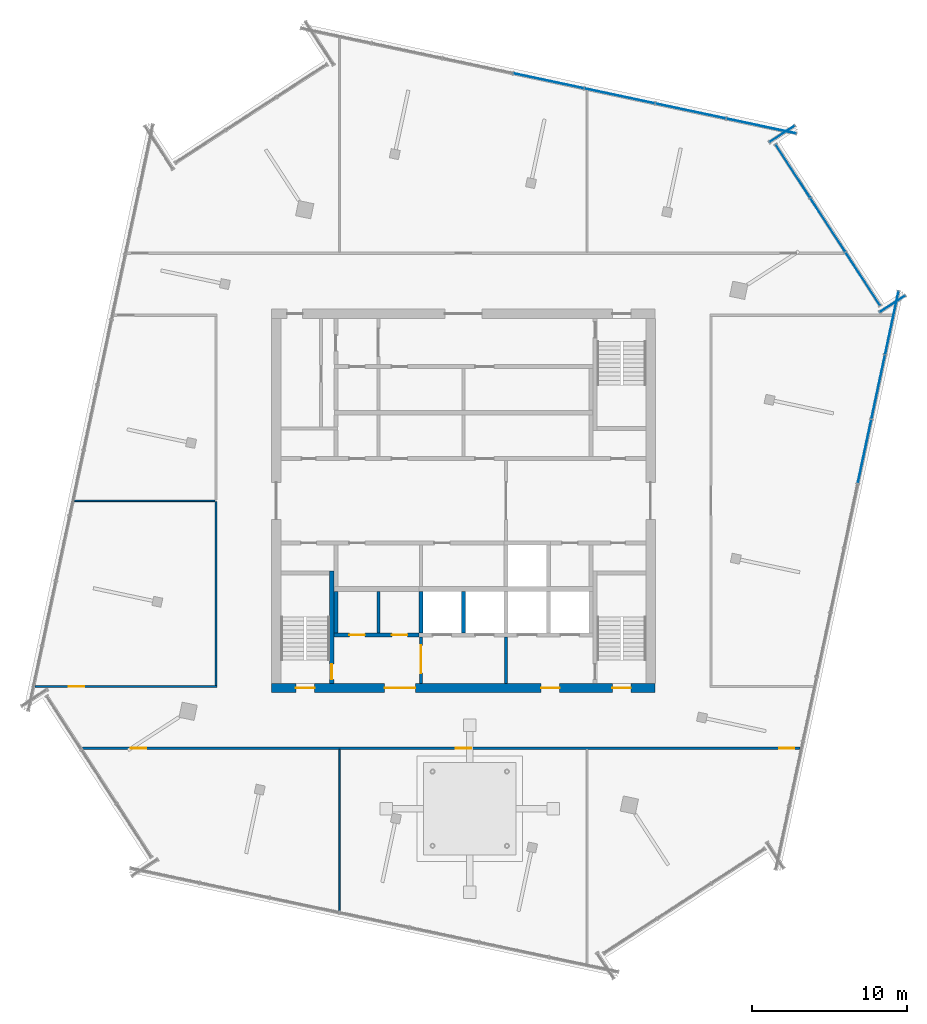
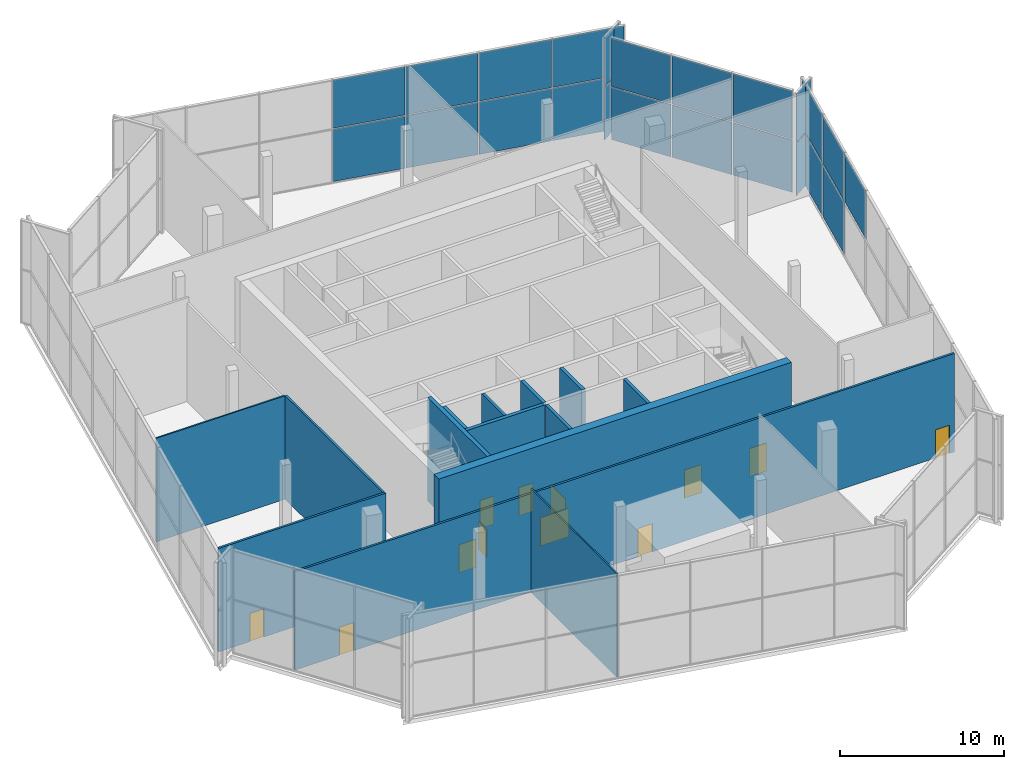
# One storey, part 9 of 14: 23 plates, 14 walls, 12 doors, 12 openings, 5 elements without a shape of their own.
"""IFC4 building model written with IfcOpenShell, lengths in metres."""

from ifc_helpers import new_model, si_unit, direction, frame, frame_2d, origin, origin_2d, place, context, subcontext, project, spatial, rectangle, extrude, material, layer, layer_set, type_object, element, fill, aggregate, save


model = new_model("IFC4")

# Units and contexts
model_context = context("Model", 3, precision=1e-05, world=origin(), true_north=direction((0.0, 1.0)))
body_context = subcontext(model_context, "Body", "Model", "MODEL_VIEW")
ifc_project = project(units=[si_unit("LENGTHUNIT", "METRE"), si_unit("AREAUNIT", "SQUARE_METRE"), si_unit("VOLUMEUNIT", "CUBIC_METRE"), si_unit("PLANEANGLEUNIT", "RADIAN"), si_unit("MASSUNIT", "GRAM", prefix="KILO")], contexts=[model_context])

# Site, building, storey
site_placement = place(None, origin())
site = spatial("IfcSite", under=ifc_project, at=site_placement, CompositionType="ELEMENT")
building_placement = place(site_placement, origin())
building = spatial("IfcBuilding", under=site, at=building_placement, Name="Dilmun Exchange Tower", CompositionType="ELEMENT")
storey_placement = place(building_placement, frame((0.0, 0.0, 350.10009765625)))
storey = spatial("IfcBuildingStorey", under=building, at=storey_placement, Name="Crown L83", CompositionType="ELEMENT", Elevation=350.10009765625)

# Curtain wall, plates
ifc_material_1 = material(Name="Anodised aluminium and clear glass", Category="aluminium")
curtain_wall_type = type_object("IfcCurtainWallType", Name="Damper floor glazing", PredefinedType="NOTDEFINED", material=ifc_material_1)
curtain_wall_1_placement = place(storey_placement, origin())
curtain_wall_1 = element("IfcCurtainWall", 1, at=curtain_wall_1_placement, inside=storey, type_object=curtain_wall_type, Name="Damper floor glazing run DG7", PredefinedType="NOTDEFINED")
ifc_material_2 = material(Name="Clear glass", Category="glass")
ifc_layer_1 = layer(ifc_material_2, 0.035888671875)
ifc_layer_set_1 = layer_set([ifc_layer_1], Name="Clear glass")
plate_type = type_object("IfcPlateType", Name="Damper floor glazing glass panel 36", PredefinedType="CURTAIN_PANEL", material=ifc_layer_set_1)
plate_1_placement = place(storey_placement, frame((25.930908203125, 3.194580078125, 4.03515625), z_axis=(0.0, 0.0, 1.0), x_axis=(0.207912653058, 0.978147396203, 0.0)))
plate_1 = element("IfcPlate", 2, at=plate_1_placement, type_object=plate_type, Name="DG7 panel 7.2", PredefinedType="CURTAIN_PANEL", context=body_context, shape_type="SweptSolid", body=[
    extrude(rectangle(XDim=4.18798828125, YDim=0.035888671875, at=origin_2d()), origin(), (0.0, 0.0, 1.0), 3.594970703125),
])
plate_2_placement = place(storey_placement, frame((26.816162109375, 7.359619140625, 0.06982421875), z_axis=(0.0, 0.0, 1.0), x_axis=(0.207912653058, 0.978147396203, 0.0)))
plate_2 = element("IfcPlate", 3, at=plate_2_placement, type_object=plate_type, Name="DG7 panel 8.1", PredefinedType="CURTAIN_PANEL", context=body_context, shape_type="SweptSolid", body=[
    extrude(rectangle(XDim=4.18798828125, YDim=0.035888671875, at=origin_2d()), origin(), (0.0, 0.0, 1.0), 3.89501953125),
])
plate_3_placement = place(storey_placement, frame((26.816162109375, 7.359619140625, 4.03515625), z_axis=(0.0, 0.0, 1.0), x_axis=(0.207912653058, 0.978147396203, 0.0)))
plate_3 = element("IfcPlate", 4, at=plate_3_placement, type_object=plate_type, Name="DG7 panel 8.2", PredefinedType="CURTAIN_PANEL", context=body_context, shape_type="SweptSolid", body=[
    extrude(rectangle(XDim=4.18798828125, YDim=0.035888671875, at=origin_2d()), origin(), (0.0, 0.0, 1.0), 3.594970703125),
])
plate_4_placement = place(storey_placement, frame((27.69775390625, 11.50732421875, 0.06982421875), z_axis=(0.0, 0.0, 1.0), x_axis=(0.207912653058, 0.978147396203, 0.0)))
plate_4 = element("IfcPlate", 5, at=plate_4_placement, type_object=plate_type, Name="DG7 panel 9.1", PredefinedType="CURTAIN_PANEL", context=body_context, shape_type="SweptSolid", body=[
    extrude(rectangle(XDim=4.153076171875, YDim=0.035888671875, at=origin_2d()), origin(), (0.0, 0.0, 1.0), 3.89501953125),
])
plate_5_placement = place(storey_placement, frame((27.69775390625, 11.50732421875, 4.03515625), z_axis=(0.0, 0.0, 1.0), x_axis=(0.207912653058, 0.978147396203, 0.0)))
plate_5 = element("IfcPlate", 6, at=plate_5_placement, type_object=plate_type, Name="DG7 panel 9.2", PredefinedType="CURTAIN_PANEL", context=body_context, shape_type="SweptSolid", body=[
    extrude(rectangle(XDim=4.153076171875, YDim=0.035888671875, at=origin_2d()), origin(), (0.0, 0.0, 1.0), 3.594970703125),
])
aggregate(curtain_wall_1, [plate_1, plate_2, plate_3, plate_4, plate_5])

curtain_wall_2_placement = place(storey_placement, origin())
curtain_wall_2 = element("IfcCurtainWall", 7, at=curtain_wall_2_placement, inside=storey, type_object=curtain_wall_type, Name="Damper floor glazing run DG8", PredefinedType="NOTDEFINED")
plate_6_placement = place(storey_placement, frame((27.73828125, 12.73291015625, 0.06982421875), z_axis=(0.0, 0.0, 1.0), x_axis=(-0.838661237307, -0.544653402669, 0.0)))
plate_6 = element("IfcPlate", 8, at=plate_6_placement, type_object=plate_type, Name="DG8 panel 1.1", PredefinedType="CURTAIN_PANEL", context=body_context, shape_type="SweptSolid", body=[
    extrude(rectangle(XDim=1.9169921875, YDim=0.035888671875, at=origin_2d()), origin(), (0.0, 0.0, 1.0), 3.89501953125),
])
plate_7_placement = place(storey_placement, frame((27.73828125, 12.73291015625, 4.03515625), z_axis=(0.0, 0.0, 1.0), x_axis=(-0.838661237307, -0.544653402669, 0.0)))
plate_7 = element("IfcPlate", 9, at=plate_7_placement, type_object=plate_type, Name="DG8 panel 1.2", PredefinedType="CURTAIN_PANEL", context=body_context, shape_type="SweptSolid", body=[
    extrude(rectangle(XDim=1.9169921875, YDim=0.035888671875, at=origin_2d()), origin(), (0.0, 0.0, 1.0), 3.594970703125),
])
aggregate(curtain_wall_2, [plate_6, plate_7])

curtain_wall_3_placement = place(storey_placement, origin())
curtain_wall_3 = element("IfcCurtainWall", 10, at=curtain_wall_3_placement, inside=storey, type_object=curtain_wall_type, Name="Damper floor glazing run DG9", PredefinedType="NOTDEFINED")
plate_8_placement = place(storey_placement, frame((25.819580078125, 14.349609375, 0.06982421875), z_axis=(0.0, 0.0, 1.0), x_axis=(-0.544642713825, 0.838668178887, 0.0)))
plate_8 = element("IfcPlate", 11, at=plate_8_placement, type_object=plate_type, Name="DG9 panel 1.1", PredefinedType="CURTAIN_PANEL", context=body_context, shape_type="SweptSolid", body=[
    extrude(rectangle(XDim=4.061767578125, YDim=0.035888671875, at=origin_2d()), origin(), (0.0, 0.0, 1.0), 3.89501953125),
])
plate_9_placement = place(storey_placement, frame((25.819580078125, 14.349609375, 4.03515625), z_axis=(0.0, 0.0, 1.0), x_axis=(-0.544642713825, 0.838668178887, 0.0)))
plate_9 = element("IfcPlate", 12, at=plate_9_placement, type_object=plate_type, Name="DG9 panel 1.2", PredefinedType="CURTAIN_PANEL", context=body_context, shape_type="SweptSolid", body=[
    extrude(rectangle(XDim=4.061767578125, YDim=0.035888671875, at=origin_2d()), origin(), (0.0, 0.0, 1.0), 3.594970703125),
])
plate_10_placement = place(storey_placement, frame((23.559814453125, 17.829345703125, 0.06982421875), z_axis=(0.0, 0.0, 1.0), x_axis=(-0.544642713825, 0.838668178887, 0.0)))
plate_10 = element("IfcPlate", 13, at=plate_10_placement, type_object=plate_type, Name="DG9 panel 2.1", PredefinedType="CURTAIN_PANEL", context=body_context, shape_type="SweptSolid", body=[
    extrude(rectangle(XDim=4.0966796875, YDim=0.035888671875, at=origin_2d()), origin(), (0.0, 0.0, 1.0), 3.89501953125),
])
plate_11_placement = place(storey_placement, frame((23.559814453125, 17.829345703125, 4.03515625), z_axis=(0.0, 0.0, 1.0), x_axis=(-0.544642713825, 0.838668178887, 0.0)))
plate_11 = element("IfcPlate", 14, at=plate_11_placement, type_object=plate_type, Name="DG9 panel 2.2", PredefinedType="CURTAIN_PANEL", context=body_context, shape_type="SweptSolid", body=[
    extrude(rectangle(XDim=4.0966796875, YDim=0.035888671875, at=origin_2d()), origin(), (0.0, 0.0, 1.0), 3.594970703125),
])
plate_12_placement = place(storey_placement, frame((21.300048828125, 21.30908203125, 0.06982421875), z_axis=(0.0, 0.0, 1.0), x_axis=(-0.544642713825, 0.838668178887, 0.0)))
plate_12 = element("IfcPlate", 15, at=plate_12_placement, type_object=plate_type, Name="DG9 panel 3.1", PredefinedType="CURTAIN_PANEL", context=body_context, shape_type="SweptSolid", body=[
    extrude(rectangle(XDim=4.061767578125, YDim=0.035888671875, at=origin_2d()), origin(), (0.0, 0.0, 1.0), 3.89501953125),
])
plate_13_placement = place(storey_placement, frame((21.300048828125, 21.30908203125, 4.03515625), z_axis=(0.0, 0.0, 1.0), x_axis=(-0.544642713825, 0.838668178887, 0.0)))
plate_13 = element("IfcPlate", 16, at=plate_13_placement, type_object=plate_type, Name="DG9 panel 3.2", PredefinedType="CURTAIN_PANEL", context=body_context, shape_type="SweptSolid", body=[
    extrude(rectangle(XDim=4.061767578125, YDim=0.035888671875, at=origin_2d()), origin(), (0.0, 0.0, 1.0), 3.594970703125),
])
aggregate(curtain_wall_3, [plate_8, plate_9, plate_10, plate_11, plate_12, plate_13])

curtain_wall_4_placement = place(storey_placement, origin())
curtain_wall_4 = element("IfcCurtainWall", 17, at=curtain_wall_4_placement, inside=storey, type_object=curtain_wall_type, Name="Damper floor glazing run DG10", PredefinedType="NOTDEFINED")
plate_14_placement = place(storey_placement, frame((20.603515625, 23.719482421875, 0.06982421875), z_axis=(0.0, 0.0, 1.0), x_axis=(0.838683442358, 0.544619209645, 0.0)))
plate_14 = element("IfcPlate", 18, at=plate_14_placement, type_object=plate_type, Name="DG10 panel 1.1", PredefinedType="CURTAIN_PANEL", context=body_context, shape_type="SweptSolid", body=[
    extrude(rectangle(XDim=1.9169921875, YDim=0.035888671875, at=origin_2d()), origin(), (0.0, 0.0, 1.0), 3.89501953125),
])
plate_15_placement = place(storey_placement, frame((20.603515625, 23.719482421875, 4.03515625), z_axis=(0.0, 0.0, 1.0), x_axis=(0.838683442358, 0.544619209645, 0.0)))
plate_15 = element("IfcPlate", 19, at=plate_15_placement, type_object=plate_type, Name="DG10 panel 1.2", PredefinedType="CURTAIN_PANEL", context=body_context, shape_type="SweptSolid", body=[
    extrude(rectangle(XDim=1.9169921875, YDim=0.035888671875, at=origin_2d()), origin(), (0.0, 0.0, 1.0), 3.594970703125),
])
aggregate(curtain_wall_4, [plate_14, plate_15])

curtain_wall_5_placement = place(storey_placement, origin())
curtain_wall_5 = element("IfcCurtainWall", 20, at=curtain_wall_5_placement, inside=storey, type_object=curtain_wall_type, Name="Damper floor glazing run DG11", PredefinedType="NOTDEFINED")
plate_16_placement = place(storey_placement, frame((19.256103515625, 24.225830078125, 0.06982421875), z_axis=(0.0, 0.0, 1.0), x_axis=(-0.978147710648, 0.20791117371, 0.0)))
plate_16 = element("IfcPlate", 21, at=plate_16_placement, type_object=plate_type, Name="DG11 panel 1.1", PredefinedType="CURTAIN_PANEL", context=body_context, shape_type="SweptSolid", body=[
    extrude(rectangle(XDim=4.58544921875, YDim=0.035888671875, at=origin_2d()), origin(), (0.0, 0.0, 1.0), 3.89501953125),
])
plate_17_placement = place(storey_placement, frame((19.256103515625, 24.225830078125, 4.03515625), z_axis=(0.0, 0.0, 1.0), x_axis=(-0.978147710648, 0.20791117371, 0.0)))
plate_17 = element("IfcPlate", 22, at=plate_17_placement, type_object=plate_type, Name="DG11 panel 1.2", PredefinedType="CURTAIN_PANEL", context=body_context, shape_type="SweptSolid", body=[
    extrude(rectangle(XDim=4.58544921875, YDim=0.035888671875, at=origin_2d()), origin(), (0.0, 0.0, 1.0), 3.594970703125),
])
plate_18_placement = place(storey_placement, frame((14.685302734375, 25.197265625, 0.06982421875), z_axis=(0.0, 0.0, 1.0), x_axis=(-0.978147710648, 0.20791117371, 0.0)))
plate_18 = element("IfcPlate", 23, at=plate_18_placement, type_object=plate_type, Name="DG11 panel 2.1", PredefinedType="CURTAIN_PANEL", context=body_context, shape_type="SweptSolid", body=[
    extrude(rectangle(XDim=4.620361328125, YDim=0.035888671875, at=origin_2d()), origin(), (0.0, 0.0, 1.0), 3.89501953125),
])
plate_19_placement = place(storey_placement, frame((14.685302734375, 25.197265625, 4.03515625), z_axis=(0.0, 0.0, 1.0), x_axis=(-0.978147710648, 0.20791117371, 0.0)))
plate_19 = element("IfcPlate", 24, at=plate_19_placement, type_object=plate_type, Name="DG11 panel 2.2", PredefinedType="CURTAIN_PANEL", context=body_context, shape_type="SweptSolid", body=[
    extrude(rectangle(XDim=4.620361328125, YDim=0.035888671875, at=origin_2d()), origin(), (0.0, 0.0, 1.0), 3.594970703125),
])
plate_20_placement = place(storey_placement, frame((10.097412109375, 26.172607421875, 0.06982421875), z_axis=(0.0, 0.0, 1.0), x_axis=(-0.978147710648, 0.20791117371, 0.0)))
plate_20 = element("IfcPlate", 25, at=plate_20_placement, type_object=plate_type, Name="DG11 panel 3.1", PredefinedType="CURTAIN_PANEL", context=body_context, shape_type="SweptSolid", body=[
    extrude(rectangle(XDim=4.620361328125, YDim=0.035888671875, at=origin_2d()), origin(), (0.0, 0.0, 1.0), 3.89501953125),
])
plate_21_placement = place(storey_placement, frame((10.097412109375, 26.172607421875, 4.03515625), z_axis=(0.0, 0.0, 1.0), x_axis=(-0.978147710648, 0.20791117371, 0.0)))
plate_21 = element("IfcPlate", 26, at=plate_21_placement, type_object=plate_type, Name="DG11 panel 3.2", PredefinedType="CURTAIN_PANEL", context=body_context, shape_type="SweptSolid", body=[
    extrude(rectangle(XDim=4.620361328125, YDim=0.035888671875, at=origin_2d()), origin(), (0.0, 0.0, 1.0), 3.594970703125),
])
plate_22_placement = place(storey_placement, frame((5.509521484375, 27.147705078125, 0.06982421875), z_axis=(0.0, 0.0, 1.0), x_axis=(-0.978147710648, 0.20791117371, 0.0)))
plate_22 = element("IfcPlate", 27, at=plate_22_placement, type_object=plate_type, Name="DG11 panel 4.1", PredefinedType="CURTAIN_PANEL", context=body_context, shape_type="SweptSolid", body=[
    extrude(rectangle(XDim=4.620361328125, YDim=0.035888671875, at=origin_2d()), origin(), (0.0, 0.0, 1.0), 3.89501953125),
])
plate_23_placement = place(storey_placement, frame((5.509521484375, 27.147705078125, 4.03515625), z_axis=(0.0, 0.0, 1.0), x_axis=(-0.978147710648, 0.20791117371, 0.0)))
plate_23 = element("IfcPlate", 28, at=plate_23_placement, type_object=plate_type, Name="DG11 panel 4.2", PredefinedType="CURTAIN_PANEL", context=body_context, shape_type="SweptSolid", body=[
    extrude(rectangle(XDim=4.620361328125, YDim=0.035888671875, at=origin_2d()), origin(), (0.0, 0.0, 1.0), 3.594970703125),
])
aggregate(curtain_wall_5, [plate_16, plate_17, plate_18, plate_19, plate_20, plate_21, plate_22, plate_23])

# Wall, opening, door
ifc_material_3 = material(Name="Concrete C40/50", Category="concrete")
ifc_layer_2 = layer(ifc_material_3, 0.199951171875)
ifc_layer_set_2 = layer_set([ifc_layer_2], Name="Concrete C40/50")
wall_type_1 = type_object("IfcWallType", Name="Core partition wall 200", PredefinedType="PARTITIONING", material=ifc_layer_set_2)
wall_1_placement = place(storey_placement, frame((-2.75, -11.794921875, 0.0), z_axis=(0.0, 0.0, 1.0), x_axis=(0.0, 1.0, 0.0)))
wall_1 = element("IfcWall", 29, at=wall_1_placement, inside=storey, type_object=wall_type_1, Name="Crown L83 core partition wall 01", PredefinedType="PARTITIONING", context=body_context, shape_type="SweptSolid", body=[
    extrude(rectangle(XDim=2.989990234375, YDim=0.199951171875, at=frame_2d((1.4951171875, 0.0))), origin(), (0.0, 0.0, 1.0), 7.699951171875),
])
opening_1_placement = place(wall_1_placement, frame((0.657470703125, 0.0, 0.0)))
opening_1 = element("IfcOpeningElement", 30, at=opening_1_placement, cuts=wall_1, Name="Opening CD5", PredefinedType="OPENING", context=body_context, shape_type="SweptSolid", body=[
    extrude(rectangle(XDim=1.800048828125, YDim=2.10009765625, at=frame_2d((0.89990234375, 1.050048828125))), frame((0.0, 0.10986328125, 0.0), z_axis=(0.0, -1.0, 0.0), x_axis=(1.0, 0.0, 0.0)), (0.0, 0.0, 1.0), 0.219970703125),
])
ifc_material_4 = material(Name="Fire-rated steel door set", Category="steel")
door_type_1 = type_object("IfcDoorType", Name="Stair exit door 1800x2100", OperationType="SINGLE_SWING_LEFT", PredefinedType="DOOR", material=ifc_material_4)
door_1_placement = place(opening_1_placement, origin())
door_1 = element("IfcDoor", 31, at=door_1_placement, inside=storey, type_object=door_type_1, Name="Crown L83 door Service lobby east", OperationType="SINGLE_SWING_LEFT", OverallHeight=2.10009765625, OverallWidth=1.800048828125, PredefinedType="DOOR", context=body_context, shape_type="SweptSolid", body=[
    extrude(rectangle(XDim=1.800048828125, YDim=2.10009765625, at=frame_2d((0.89990234375, 1.050048828125))), frame((0.0, 0.02490234375, 0.0), z_axis=(0.0, -1.0, 0.0), x_axis=(1.0, 0.0, 0.0)), (0.0, 0.0, 1.0), 0.050048828125),
])
fill(opening_1, door_1)

# Walls
wall_2_placement = place(storey_placement, frame((2.75, -11.794921875, 0.0), z_axis=(0.0, 0.0, 1.0), x_axis=(0.0, 1.0, 0.0)))
element("IfcWall", 32, at=wall_2_placement, inside=storey, type_object=wall_type_1, Name="Crown L83 core partition wall 02", PredefinedType="PARTITIONING", context=body_context, shape_type="SweptSolid", body=[
    extrude(rectangle(XDim=2.989990234375, YDim=0.199951171875, at=frame_2d((1.4951171875, 0.0))), origin(), (0.0, 0.0, 1.0), 7.699951171875),
])
wall_3_placement = place(storey_placement, frame((-5.5, -8.544921875, 0.0), z_axis=(0.0, 0.0, 1.0), x_axis=(0.0, 1.0, 0.0)))
element("IfcWall", 33, at=wall_3_placement, inside=storey, type_object=wall_type_1, Name="Crown L83 core partition wall 05", PredefinedType="PARTITIONING", context=body_context, shape_type="SweptSolid", body=[
    extrude(rectangle(XDim=2.68994140625, YDim=0.199951171875, at=frame_2d((1.344970703125, 0.0))), origin(), (0.0, 0.0, 1.0), 7.699951171875),
])

# Wall, openings, doors
ifc_layer_3 = layer(ifc_material_3, 0.25)
ifc_layer_set_3 = layer_set([ifc_layer_3], Name="Concrete C40/50")
wall_type_2 = type_object("IfcWallType", Name="Core partition wall 250", PredefinedType="PARTITIONING", material=ifc_layer_set_3)
wall_4_placement = place(storey_placement, frame((-8.3701171875, -8.675048828125, 0.0), z_axis=(0.0, 0.0, 1.0), x_axis=(1.0, 0.0, 0.0)))
wall_4 = element("IfcWall", 34, at=wall_4_placement, inside=storey, type_object=wall_type_2, Name="Crown L83 core partition wall 03", PredefinedType="PARTITIONING", context=body_context, shape_type="SweptSolid", body=[
    extrude(rectangle(XDim=5.490234375, YDim=0.25, at=frame_2d((2.7451171875, 0.0))), origin(), (0.0, 0.0, 1.0), 7.699951171875),
])
opening_2_placement = place(wall_4_placement, frame((0.9951171875, 0.0, 0.0)))
opening_2 = element("IfcOpeningElement", 35, at=opening_2_placement, cuts=wall_4, Name="Opening CD4", PredefinedType="OPENING", context=body_context, shape_type="SweptSolid", body=[
    extrude(rectangle(XDim=1.0, YDim=2.10009765625, at=frame_2d((0.5, 1.050048828125))), frame((0.0, 0.135009765625, 0.0), z_axis=(0.0, -1.0, 0.0), x_axis=(1.0, 0.0, 0.0)), (0.0, 0.0, 1.0), 0.27001953125),
])
opening_3_placement = place(wall_4_placement, frame((3.7451171875, 0.0, 0.0)))
opening_3 = element("IfcOpeningElement", 36, at=opening_3_placement, cuts=wall_4, Name="Opening CD4", PredefinedType="OPENING", context=body_context, shape_type="SweptSolid", body=[
    extrude(rectangle(XDim=1.0, YDim=2.10009765625, at=frame_2d((0.5, 1.050048828125))), frame((0.0, 0.135009765625, 0.0), z_axis=(0.0, -1.0, 0.0), x_axis=(1.0, 0.0, 0.0)), (0.0, 0.0, 1.0), 0.27001953125),
])
door_type_2 = type_object("IfcDoorType", Name="Core room door 1000x2100", OperationType="SINGLE_SWING_LEFT", PredefinedType="DOOR", material=ifc_material_4)
door_2_placement = place(opening_2_placement, origin())
door_2 = element("IfcDoor", 37, at=door_2_placement, inside=storey, type_object=door_type_2, Name="Crown L83 door Male WC", OperationType="SINGLE_SWING_RIGHT", OverallHeight=2.10009765625, OverallWidth=1.0, PredefinedType="DOOR", context=body_context, shape_type="SweptSolid", body=[
    extrude(rectangle(XDim=1.0, YDim=2.10009765625, at=frame_2d((0.5, 1.050048828125))), frame((0.0, 0.02490234375, 0.0), z_axis=(0.0, -1.0, 0.0), x_axis=(1.0, 0.0, 0.0)), (0.0, 0.0, 1.0), 0.050048828125),
])
fill(opening_2, door_2)
door_3_placement = place(opening_3_placement, origin())
door_3 = element("IfcDoor", 38, at=door_3_placement, inside=storey, type_object=door_type_2, Name="Crown L83 door Female WC", OperationType="SINGLE_SWING_RIGHT", OverallHeight=2.10009765625, OverallWidth=1.0, PredefinedType="DOOR", context=body_context, shape_type="SweptSolid", body=[
    extrude(rectangle(XDim=1.0, YDim=2.10009765625, at=frame_2d((0.5, 1.050048828125))), frame((0.0, 0.02490234375, 0.0), z_axis=(0.0, -1.0, 0.0), x_axis=(1.0, 0.0, 0.0)), (0.0, 0.0, 1.0), 0.050048828125),
])
fill(opening_3, door_3)

# Wall
wall_5_placement = place(storey_placement, frame((-8.25, -8.544921875, 0.0), z_axis=(0.0, 0.0, 1.0), x_axis=(0.0, 1.0, 0.0)))
element("IfcWall", 39, at=wall_5_placement, inside=storey, type_object=wall_type_2, Name="Crown L83 core partition wall 04", PredefinedType="PARTITIONING", context=body_context, shape_type="SweptSolid", body=[
    extrude(rectangle(XDim=2.68994140625, YDim=0.25, at=frame_2d((1.344970703125, 0.0))), origin(), (0.0, 0.0, 1.0), 7.699951171875),
])

# Wall, openings, doors
ifc_material_5 = material(Name="Concrete C50/60", Category="concrete")
ifc_layer_4 = layer(ifc_material_5, 0.60009765625)
ifc_layer_set_4 = layer_set([ifc_layer_4], Name="Concrete C50/60")
wall_type_3 = type_object("IfcWallType", Name="Core shear wall 600 Concrete C50/60", PredefinedType="SHEAR", material=ifc_layer_set_4)
wall_6_placement = place(storey_placement, frame((-12.39990234375, -12.10009765625, 0.0), z_axis=(0.0, 0.0, 1.0), x_axis=(1.0, 0.0, 0.0)))
wall_6 = element("IfcWall", 40, at=wall_6_placement, inside=storey, type_object=wall_type_3, Name="Crown L83 core shear wall S", PredefinedType="SHEAR", context=body_context, shape_type="SweptSolid", body=[
    extrude(rectangle(XDim=24.7998046875, YDim=0.60009765625, at=frame_2d((12.39990234375, 0.0))), origin(), (0.0, 0.0, 1.0), 7.699951171875),
])
opening_4_placement = place(wall_6_placement, frame((7.300048828125, 0.0, 0.0)))
opening_4 = element("IfcOpeningElement", 41, at=opening_4_placement, cuts=wall_6, Name="Opening CD2", PredefinedType="OPENING", context=body_context, shape_type="SweptSolid", body=[
    extrude(rectangle(XDim=2.0, YDim=2.10009765625, at=frame_2d((1.0, 1.050048828125))), frame((0.0, 0.31005859375, 0.0), z_axis=(0.0, -1.0, 0.0), x_axis=(1.0, 0.0, 0.0)), (0.0, 0.0, 1.0), 0.6201171875),
])
opening_5_placement = place(wall_6_placement, frame((17.425048828125, 0.0, 0.0)))
opening_5 = element("IfcOpeningElement", 42, at=opening_5_placement, cuts=wall_6, Name="Opening CD3", PredefinedType="OPENING", context=body_context, shape_type="SweptSolid", body=[
    extrude(rectangle(XDim=1.199951171875, YDim=2.10009765625, at=frame_2d((0.60009765625, 1.050048828125))), frame((0.0, 0.31005859375, 0.0), z_axis=(0.0, -1.0, 0.0), x_axis=(1.0, 0.0, 0.0)), (0.0, 0.0, 1.0), 0.6201171875),
])
opening_6_placement = place(wall_6_placement, frame((1.574951171875, 0.0, 0.0)))
opening_6 = element("IfcOpeningElement", 43, at=opening_6_placement, cuts=wall_6, Name="Opening CD3", PredefinedType="OPENING", context=body_context, shape_type="SweptSolid", body=[
    extrude(rectangle(XDim=1.199951171875, YDim=2.10009765625, at=frame_2d((0.60009765625, 1.050048828125))), frame((0.0, 0.31005859375, 0.0), z_axis=(0.0, -1.0, 0.0), x_axis=(1.0, 0.0, 0.0)), (0.0, 0.0, 1.0), 0.6201171875),
])
opening_7_placement = place(wall_6_placement, frame((22.02490234375, 0.0, 0.0)))
opening_7 = element("IfcOpeningElement", 44, at=opening_7_placement, cuts=wall_6, Name="Opening CD3", PredefinedType="OPENING", context=body_context, shape_type="SweptSolid", body=[
    extrude(rectangle(XDim=1.199951171875, YDim=2.10009765625, at=frame_2d((0.60009765625, 1.050048828125))), frame((0.0, 0.31005859375, 0.0), z_axis=(0.0, -1.0, 0.0), x_axis=(1.0, 0.0, 0.0)), (0.0, 0.0, 1.0), 0.6201171875),
])
door_type_3 = type_object("IfcDoorType", Name="Core service door 2000x2100", OperationType="DOUBLE_DOOR_DOUBLE_SWING", PredefinedType="DOOR", material=ifc_material_4)
door_4_placement = place(opening_4_placement, origin())
door_4 = element("IfcDoor", 45, at=door_4_placement, inside=storey, type_object=door_type_3, Name="Crown L83 door South service lobby", OperationType="SINGLE_SWING_LEFT", OverallHeight=2.10009765625, OverallWidth=2.0, PredefinedType="DOOR", context=body_context, shape_type="SweptSolid", body=[
    extrude(rectangle(XDim=2.0, YDim=2.10009765625, at=frame_2d((1.0, 1.050048828125))), frame((0.0, 0.02490234375, 0.0), z_axis=(0.0, -1.0, 0.0), x_axis=(1.0, 0.0, 0.0)), (0.0, 0.0, 1.0), 0.050048828125),
])
fill(opening_4, door_4)
door_type_4 = type_object("IfcDoorType", Name="Stair exit door 1200x2100", OperationType="SINGLE_SWING_LEFT", PredefinedType="DOOR", material=ifc_material_4)
door_5_placement = place(opening_5_placement, origin())
door_5 = element("IfcDoor", 46, at=door_5_placement, inside=storey, type_object=door_type_4, Name="Crown L83 door Fire-fighting lobby", OperationType="SINGLE_SWING_LEFT", OverallHeight=2.10009765625, OverallWidth=1.199951171875, PredefinedType="DOOR", context=body_context, shape_type="SweptSolid", body=[
    extrude(rectangle(XDim=1.199951171875, YDim=2.10009765625, at=frame_2d((0.60009765625, 1.050048828125))), frame((0.0, 0.02490234375, 0.0), z_axis=(0.0, -1.0, 0.0), x_axis=(1.0, 0.0, 0.0)), (0.0, 0.0, 1.0), 0.050048828125),
])
fill(opening_5, door_5)
door_6_placement = place(opening_6_placement, origin())
door_6 = element("IfcDoor", 47, at=door_6_placement, inside=storey, type_object=door_type_4, Name="Crown L83 door Stair ST2", OperationType="SINGLE_SWING_LEFT", OverallHeight=2.10009765625, OverallWidth=1.199951171875, PredefinedType="DOOR", context=body_context, shape_type="SweptSolid", body=[
    extrude(rectangle(XDim=1.199951171875, YDim=2.10009765625, at=frame_2d((0.60009765625, 1.050048828125))), frame((0.0, 0.02490234375, 0.0), z_axis=(0.0, -1.0, 0.0), x_axis=(1.0, 0.0, 0.0)), (0.0, 0.0, 1.0), 0.050048828125),
])
fill(opening_6, door_6)
door_7_placement = place(opening_7_placement, origin())
door_7 = element("IfcDoor", 48, at=door_7_placement, inside=storey, type_object=door_type_4, Name="Crown L83 door Stair ST3", OperationType="SINGLE_SWING_LEFT", OverallHeight=2.10009765625, OverallWidth=1.199951171875, PredefinedType="DOOR", context=body_context, shape_type="SweptSolid", body=[
    extrude(rectangle(XDim=1.199951171875, YDim=2.10009765625, at=frame_2d((0.60009765625, 1.050048828125))), frame((0.0, 0.02490234375, 0.0), z_axis=(0.0, -1.0, 0.0), x_axis=(1.0, 0.0, 0.0)), (0.0, 0.0, 1.0), 0.050048828125),
])
fill(opening_7, door_7)

ifc_material_6 = material(Name="Fire partition EI 60 150 gypsum")
ifc_layer_5 = layer(ifc_material_6, 0.14990234375)
ifc_layer_set_5 = layer_set([ifc_layer_5], Name="Fire partition EI 60 150 gypsum")
wall_type_4 = type_object("IfcWallType", Name="Fire partition EI 60 150 gypsum", PredefinedType="PARTITIONING", material=ifc_layer_set_5)
wall_7_placement = place(storey_placement, frame((-24.628662109375, -16.0, 0.0), z_axis=(0.0, 0.0, 1.0), x_axis=(1.0, 0.0, 0.0)))
wall_7 = element("IfcWall", 49, at=wall_7_placement, inside=storey, type_object=wall_type_4, Name="Crown L83 partition", PredefinedType="PARTITIONING", context=body_context, shape_type="SweptSolid", body=[
    extrude(rectangle(XDim=46.37744140625, YDim=0.14990234375, at=frame_2d((23.188720703125, 0.0))), origin(), (0.0, 0.0, 1.0), 7.31982421875),
])
opening_8_placement = place(wall_7_placement, frame((3.128662109375, 0.0, 0.0)))
opening_8 = element("IfcOpeningElement", 50, at=opening_8_placement, cuts=wall_7, Name="Opening CrownL83-D005", PredefinedType="OPENING", context=body_context, shape_type="SweptSolid", body=[
    extrude(rectangle(XDim=1.0, YDim=2.10009765625, at=frame_2d((0.5, 1.050048828125))), frame((0.0, 0.0849609375, 0.0), z_axis=(0.0, -1.0, 0.0), x_axis=(1.0, 0.0, 0.0)), (0.0, 0.0, 1.0), 0.169921875),
])
opening_9_placement = place(wall_7_placement, frame((24.128662109375, 0.0, 0.0)))
opening_9 = element("IfcOpeningElement", 51, at=opening_9_placement, cuts=wall_7, Name="Opening CrownL83-D006", PredefinedType="OPENING", context=body_context, shape_type="SweptSolid", body=[
    extrude(rectangle(XDim=1.0, YDim=2.10009765625, at=frame_2d((0.5, 1.050048828125))), frame((0.0, 0.0849609375, 0.0), z_axis=(0.0, -1.0, 0.0), x_axis=(1.0, 0.0, 0.0)), (0.0, 0.0, 1.0), 0.169921875),
])
opening_10_placement = place(wall_7_placement, frame((45.02880859375, 0.0, 0.0)))
opening_10 = element("IfcOpeningElement", 52, at=opening_10_placement, cuts=wall_7, Name="Opening CrownL83-D007", PredefinedType="OPENING", context=body_context, shape_type="SweptSolid", body=[
    extrude(rectangle(XDim=1.0, YDim=2.10009765625, at=frame_2d((0.5, 1.050048828125))), frame((0.0, 0.0849609375, 0.0), z_axis=(0.0, -1.0, 0.0), x_axis=(1.0, 0.0, 0.0)), (0.0, 0.0, 1.0), 0.169921875),
])
ifc_material_7 = material(Name="Fire door FD60 1000 x 2100")
door_type_5 = type_object("IfcDoorType", Name="Fire door FD60 1000 x 2100", OperationType="SINGLE_SWING_LEFT", PredefinedType="DOOR", material=ifc_material_7)
door_8_placement = place(opening_8_placement, origin())
door_8 = element("IfcDoor", 53, at=door_8_placement, inside=storey, type_object=door_type_5, Name="Crown L83 door CrownL83-D005", OperationType="SINGLE_SWING_LEFT", OverallHeight=2.10009765625, OverallWidth=1.0, PredefinedType="DOOR", context=body_context, shape_type="SweptSolid", body=[
    extrude(rectangle(XDim=1.0, YDim=2.10009765625, at=frame_2d((0.5, 1.050048828125))), frame((0.0, 0.02490234375, 0.0), z_axis=(0.0, -1.0, 0.0), x_axis=(1.0, 0.0, 0.0)), (0.0, 0.0, 1.0), 0.050048828125),
])
fill(opening_8, door_8)
door_9_placement = place(opening_9_placement, origin())
door_9 = element("IfcDoor", 54, at=door_9_placement, inside=storey, type_object=door_type_5, Name="Crown L83 door CrownL83-D006", OperationType="SINGLE_SWING_RIGHT", OverallHeight=2.10009765625, OverallWidth=1.0, PredefinedType="DOOR", context=body_context, shape_type="SweptSolid", body=[
    extrude(rectangle(XDim=1.0, YDim=2.10009765625, at=frame_2d((0.5, 1.050048828125))), frame((0.0, 0.02490234375, 0.0), z_axis=(0.0, -1.0, 0.0), x_axis=(1.0, 0.0, 0.0)), (0.0, 0.0, 1.0), 0.050048828125),
])
fill(opening_9, door_9)
door_10_placement = place(opening_10_placement, origin())
door_10 = element("IfcDoor", 55, at=door_10_placement, inside=storey, type_object=door_type_5, Name="Crown L83 door CrownL83-D007", OperationType="SINGLE_SWING_LEFT", OverallHeight=2.10009765625, OverallWidth=1.0, PredefinedType="DOOR", context=body_context, shape_type="SweptSolid", body=[
    extrude(rectangle(XDim=1.0, YDim=2.10009765625, at=frame_2d((0.5, 1.050048828125))), frame((0.0, 0.02490234375, 0.0), z_axis=(0.0, -1.0, 0.0), x_axis=(1.0, 0.0, 0.0)), (0.0, 0.0, 1.0), 0.050048828125),
])
fill(opening_10, door_10)

# Wall, opening, door
wall_8_placement = place(storey_placement, frame((-27.7001953125, -12.0, 0.0), z_axis=(0.0, 0.0, 1.0), x_axis=(1.0, 0.0, 0.0)))
wall_8 = element("IfcWall", 56, at=wall_8_placement, inside=storey, type_object=wall_type_4, Name="Crown L83 partition", PredefinedType="PARTITIONING", context=body_context, shape_type="SweptSolid", body=[
    extrude(rectangle(XDim=11.775146484375, YDim=0.14990234375, at=frame_2d((5.8876953125, 0.0))), origin(), (0.0, 0.0, 1.0), 7.699951171875),
])
opening_11_placement = place(wall_8_placement, frame((2.2001953125, 0.0, 0.0)))
opening_11 = element("IfcOpeningElement", 57, at=opening_11_placement, cuts=wall_8, Name="Opening CrownL83-D008", PredefinedType="OPENING", context=body_context, shape_type="SweptSolid", body=[
    extrude(rectangle(XDim=1.0, YDim=2.10009765625, at=frame_2d((0.5, 1.050048828125))), frame((0.0, 0.0849609375, 0.0), z_axis=(0.0, -1.0, 0.0), x_axis=(1.0, 0.0, 0.0)), (0.0, 0.0, 1.0), 0.169921875),
])
door_11_placement = place(opening_11_placement, origin())
door_11 = element("IfcDoor", 58, at=door_11_placement, inside=storey, type_object=door_type_5, Name="Crown L83 door CrownL83-D008", OperationType="SINGLE_SWING_RIGHT", OverallHeight=2.10009765625, OverallWidth=1.0, PredefinedType="DOOR", context=body_context, shape_type="SweptSolid", body=[
    extrude(rectangle(XDim=1.0, YDim=2.10009765625, at=frame_2d((0.5, 1.050048828125))), frame((0.0, 0.02490234375, 0.0), z_axis=(0.0, -1.0, 0.0), x_axis=(1.0, 0.0, 0.0)), (0.0, 0.0, 1.0), 0.050048828125),
])
fill(opening_11, door_11)

# Walls
wall_9_placement = place(storey_placement, frame((-16.0, -11.925048828125, 0.0), z_axis=(0.0, 0.0, 1.0), x_axis=(0.0, 1.0, 0.0)))
element("IfcWall", 59, at=wall_9_placement, inside=storey, type_object=wall_type_4, Name="Crown L83 partition", PredefinedType="PARTITIONING", context=body_context, shape_type="SweptSolid", body=[
    extrude(rectangle(XDim=11.875, YDim=0.14990234375, at=frame_2d((5.9375, 0.0))), origin(), (0.0, 0.0, 1.0), 7.699951171875),
])
ifc_layer_6 = layer(ifc_material_3, 0.25)
ifc_layer_set_6 = layer_set([ifc_layer_6], Name="Concrete C40/50")
wall_type_5 = type_object("IfcWallType", Name="Lift shaft wall 250", PredefinedType="SOLIDWALL", material=ifc_layer_set_6)
for number, where, z_axis, x_axis, name in (
    (60, (-2.75, -8.550048828125, 0.0), (0.0, 0.0, 1.0), (0.0, 1.0, 0.0), "Crown L83 lift shaft divider S22"),
    (61, (0.0, -8.550048828125, 0.0), (0.0, 0.0, 1.0), (0.0, 1.0, 0.0), "Crown L83 lift shaft divider S23"),
):
    element("IfcWall", number, at=place(storey_placement, frame(where, z_axis=z_axis, x_axis=x_axis)), inside=storey, type_object=wall_type_5, Name=name, PredefinedType="SOLIDWALL", context=body_context, shape_type="SweptSolid", body=[
        extrude(rectangle(XDim=2.699951171875, YDim=0.25, at=frame_2d((1.35009765625, 0.0))), origin(), (0.0, 0.0, 1.0), 7.699951171875),
    ])
ifc_material_8 = material(Name="Partition 100 gypsum")
ifc_layer_7 = layer(ifc_material_8, 0.10009765625)
ifc_layer_set_7 = layer_set([ifc_layer_7], Name="Partition 100 gypsum")
wall_type_6 = type_object("IfcWallType", Name="Partition 100 gypsum", PredefinedType="PARTITIONING", material=ifc_layer_set_7)
wall_10_placement = place(storey_placement, frame((-25.149658203125, 0.0, 0.0), z_axis=(0.0, 0.0, 1.0), x_axis=(1.0, 0.0, 0.0)))
element("IfcWall", 62, at=wall_10_placement, inside=storey, type_object=wall_type_6, Name="Crown L83 partition", PredefinedType="PARTITIONING", context=body_context, shape_type="SweptSolid", body=[
    extrude(rectangle(XDim=9.07470703125, YDim=0.10009765625, at=frame_2d((4.537353515625, 0.0))), origin(), (0.0, 0.0, 1.0), 7.699951171875),
])
wall_11_placement = place(storey_placement, frame((-8.0, -26.51611328125, 0.0), z_axis=(0.0, 0.0, 1.0), x_axis=(0.0, 1.0, 0.0)))
element("IfcWall", 63, at=wall_11_placement, inside=storey, type_object=wall_type_6, Name="Crown L83 partition", PredefinedType="PARTITIONING", context=body_context, shape_type="SweptSolid", body=[
    extrude(rectangle(XDim=10.441162109375, YDim=0.10009765625, at=frame_2d((5.220703125, 0.0))), origin(), (0.0, 0.0, 1.0), 7.699951171875),
])

# Wall, opening, door
ifc_layer_8 = layer(ifc_material_3, 0.27490234375)
ifc_layer_set_8 = layer_set([ifc_layer_8], Name="Concrete C40/50")
wall_type_7 = type_object("IfcWallType", Name="Stair wall 275", PredefinedType="SOLIDWALL", material=ifc_layer_set_8)
wall_12_placement = place(storey_placement, frame((-8.512451171875, -4.550048828125, 0.0), z_axis=(0.0, 0.0, 1.0), x_axis=(0.0, -1.0, 0.0)))
wall_12 = element("IfcWall", 64, at=wall_12_placement, inside=storey, type_object=wall_type_7, Name="Crown L83 ST2 wall to lift block", PredefinedType="SOLIDWALL", context=body_context, shape_type="SweptSolid", body=[
    extrude(rectangle(XDim=7.25, YDim=0.27490234375, at=frame_2d((3.625, 0.0))), origin(), (0.0, 0.0, 1.0), 7.699951171875),
])
opening_12_placement = place(wall_12_placement, frame((6.0, 0.0, 0.0)))
opening_12 = element("IfcOpeningElement", 65, at=opening_12_placement, cuts=wall_12, Name="Opening CD4", PredefinedType="OPENING", context=body_context, shape_type="SweptSolid", body=[
    extrude(rectangle(XDim=1.0, YDim=2.10009765625, at=frame_2d((0.5, 1.050048828125))), frame((0.0, 0.1474609375, 0.0), z_axis=(0.0, -1.0, 0.0), x_axis=(1.0, 0.0, 0.0)), (0.0, 0.0, 1.0), 0.294921875),
])
door_12_placement = place(opening_12_placement, origin())
door_12 = element("IfcDoor", 66, at=door_12_placement, inside=storey, type_object=door_type_2, Name="Crown L83 door ST2 from lobby", OperationType="SINGLE_SWING_LEFT", OverallHeight=2.10009765625, OverallWidth=1.0, PredefinedType="DOOR", context=body_context, shape_type="SweptSolid", body=[
    extrude(rectangle(XDim=1.0, YDim=2.10009765625, at=frame_2d((0.5, 1.050048828125))), frame((0.0, 0.02490234375, 0.0), z_axis=(0.0, -1.0, 0.0), x_axis=(1.0, 0.0, 0.0)), (0.0, 0.0, 1.0), 0.050048828125),
])
fill(opening_12, door_12)

save(model, "model.ifc")
